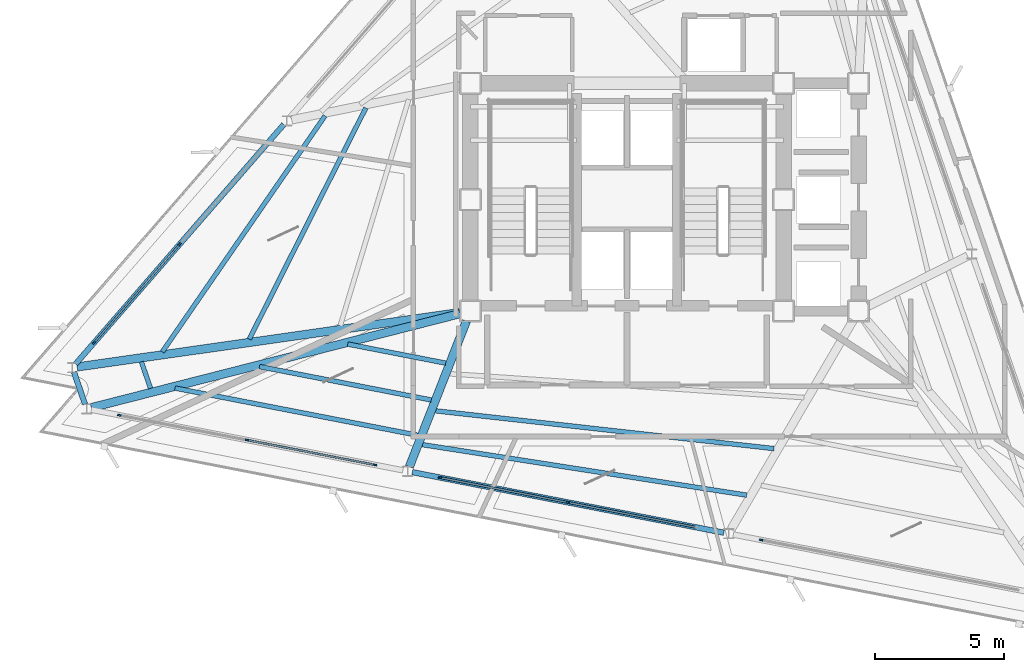
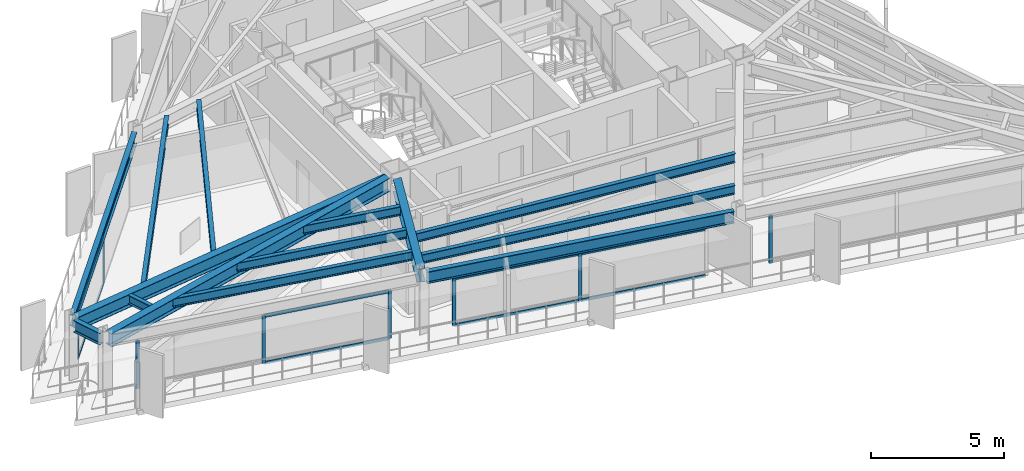
# One storey, part 2 of 13: 16 members, 14 beams, 4 elements without a shape of their own.
"""IFC4 building model written with IfcOpenShell, lengths in metres."""

from ifc_helpers import new_model, si_unit, direction, frame, origin, origin_2d, place, context, subcontext, project, spatial, rectangle, i_section, extrude, material, layer, layer_set, material_profile, profile_set, type_object, element, aggregate, save


model = new_model("IFC4")

# Units and contexts
model_context = context("Model", 3, precision=1e-05, world=origin(), true_north=direction((0.0, 1.0)))
body_context = subcontext(model_context, "Body", "Model", "MODEL_VIEW")
ifc_project = project(units=[si_unit("LENGTHUNIT", "METRE"), si_unit("AREAUNIT", "SQUARE_METRE"), si_unit("VOLUMEUNIT", "CUBIC_METRE"), si_unit("PLANEANGLEUNIT", "RADIAN"), si_unit("MASSUNIT", "GRAM", prefix="KILO")], contexts=[model_context])

# Site, building, storey
site_placement = place(None, origin())
site = spatial("IfcSite", under=ifc_project, at=site_placement, CompositionType="ELEMENT")
building_placement = place(site_placement, origin())
building = spatial("IfcBuilding", under=site, at=building_placement, Name="Rocaltana Carrier Exchange", CompositionType="ELEMENT")
storey_placement = place(building_placement, frame((0.0, 0.0, 159.360107421875)))
storey = spatial("IfcBuildingStorey", under=building, at=storey_placement, Name="L50", CompositionType="ELEMENT", Elevation=159.360107421875)

# Curtain wall, members
ifc_material_1 = material(Name="Aluminium 6063-T6", Category="aluminium")
ifc_layer = layer(ifc_material_1, 0.135009765625)
ifc_layer_set = layer_set([ifc_layer], Name="Aluminium 6063-T6")
curtain_wall_type = type_object("IfcCurtainWallType", Name="Upper-Mid Acoustic Curtain Wall CW-04", PredefinedType="NOTDEFINED", material=ifc_layer_set)
curtain_wall_1_placement = place(storey_placement, origin())
curtain_wall_1 = element("IfcCurtainWall", 1, at=curtain_wall_1_placement, inside=storey, type_object=curtain_wall_type, Name="L50 CW-04 Run CW-L50-F2S3", PredefinedType="NOTDEFINED")
ifc_material_2 = material(Name="Aluminium 6063-T6", Category="aluminium")
ifc_material_profile_1 = material_profile(ifc_material_2, rectangle(XDim=0.06494140625, YDim=0.135009765625, at=origin_2d()), Name="AL-65X135")
ifc_profile_set_1 = profile_set([ifc_material_profile_1], Name="Aluminium 6063-T6")
member_type_1 = type_object("IfcMemberType", Name="CW-04 Mullion AL-65X135", PredefinedType="MULLION", material=ifc_profile_set_1)
member_1_placement = place(storey_placement, frame((-17.279541015625, -1.718505859375, 0.0), z_axis=(0.0, 0.0, 1.0), x_axis=(0.75471173919, -0.656056545375, 0.0)))
member_1 = element("IfcMember", 2, at=member_1_placement, type_object=member_type_1, Name="CW-04 mullion 2", PredefinedType="MULLION", context=body_context, shape_type="SweptSolid", body=[
    extrude(rectangle(XDim=0.06494140625, YDim=0.135009765625, at=origin_2d()), origin(), (0.0, 0.0, 1.0), 2.2177734375),
])
member_2_placement = place(storey_placement, frame((-20.582275390625, -5.517822265625, 0.0), z_axis=(0.0, 0.0, 1.0), x_axis=(0.75471173919, -0.656056545375, 0.0)))
member_2 = element("IfcMember", 3, at=member_2_placement, type_object=member_type_1, Name="CW-04 mullion 3", PredefinedType="MULLION", context=body_context, shape_type="SweptSolid", body=[
    extrude(rectangle(XDim=0.06494140625, YDim=0.135009765625, at=origin_2d()), origin(), (0.0, 0.0, 1.0), 2.2177734375),
])

curtain_wall_2_placement = place(storey_placement, origin())
curtain_wall_2 = element("IfcCurtainWall", 4, at=curtain_wall_2_placement, inside=storey, type_object=curtain_wall_type, Name="L50 CW-04 Run CW-L50-F3S1", PredefinedType="NOTDEFINED")
member_3_placement = place(storey_placement, frame((-19.6162109375, -8.323486328125, 0.0), z_axis=(0.0, 0.0, 1.0), x_axis=(0.190803361378, 0.981628278569, 0.0)))
member_3 = element("IfcMember", 5, at=member_3_placement, type_object=member_type_1, Name="CW-04 mullion 1", PredefinedType="MULLION", context=body_context, shape_type="SweptSolid", body=[
    extrude(rectangle(XDim=0.06494140625, YDim=0.135009765625, at=origin_2d()), origin(), (0.0, 0.0, 1.0), 2.2177734375),
])
member_4_placement = place(storey_placement, frame((-14.674560546875, -9.2841796875, 0.0), z_axis=(0.0, 0.0, 1.0), x_axis=(0.190803361378, 0.981628278569, 0.0)))
member_4 = element("IfcMember", 6, at=member_4_placement, type_object=member_type_1, Name="CW-04 mullion 2", PredefinedType="MULLION", context=body_context, shape_type="SweptSolid", body=[
    extrude(rectangle(XDim=0.06494140625, YDim=0.135009765625, at=origin_2d()), origin(), (0.0, 0.0, 1.0), 2.2177734375),
])
member_5_placement = place(storey_placement, frame((-9.732666015625, -10.24462890625, 0.0), z_axis=(0.0, 0.0, 1.0), x_axis=(0.190803361378, 0.981628278569, 0.0)))
member_5 = element("IfcMember", 7, at=member_5_placement, type_object=member_type_1, Name="CW-04 mullion 3", PredefinedType="MULLION", context=body_context, shape_type="SweptSolid", body=[
    extrude(rectangle(XDim=0.06494140625, YDim=0.135009765625, at=origin_2d()), origin(), (0.0, 0.0, 1.0), 2.2177734375),
])

curtain_wall_3_placement = place(storey_placement, origin())
curtain_wall_3 = element("IfcCurtainWall", 8, at=curtain_wall_3_placement, inside=storey, type_object=curtain_wall_type, Name="L50 CW-04 Run CW-L50-F3S2", PredefinedType="NOTDEFINED")
member_6_placement = place(storey_placement, frame((-7.21484375, -10.734130859375, 0.0), z_axis=(0.0, 0.0, 1.0), x_axis=(0.190814718784, 0.981626070913, 0.0)))
member_6 = element("IfcMember", 9, at=member_6_placement, type_object=member_type_1, Name="CW-04 mullion 1", PredefinedType="MULLION", context=body_context, shape_type="SweptSolid", body=[
    extrude(rectangle(XDim=0.06494140625, YDim=0.135009765625, at=origin_2d()), origin(), (0.0, 0.0, 1.0), 2.2177734375),
])
member_7_placement = place(storey_placement, frame((-2.273193359375, -11.694580078125, 0.0), z_axis=(0.0, 0.0, 1.0), x_axis=(0.190814718784, 0.981626070913, 0.0)))
member_7 = element("IfcMember", 10, at=member_7_placement, type_object=member_type_1, Name="CW-04 mullion 2", PredefinedType="MULLION", context=body_context, shape_type="SweptSolid", body=[
    extrude(rectangle(XDim=0.06494140625, YDim=0.135009765625, at=origin_2d()), origin(), (0.0, 0.0, 1.0), 2.2177734375),
])

# Curtain wall, member
curtain_wall_4_placement = place(storey_placement, origin())
curtain_wall_4 = element("IfcCurtainWall", 11, at=curtain_wall_4_placement, inside=storey, type_object=curtain_wall_type, Name="L50 CW-04 Run CW-L50-F3S3", PredefinedType="NOTDEFINED")
member_8_placement = place(storey_placement, frame((5.186279296875, -13.144775390625, 0.0), z_axis=(0.0, 0.0, 1.0), x_axis=(0.190805209699, 0.981627919301, 0.0)))
member_8 = element("IfcMember", 12, at=member_8_placement, type_object=member_type_1, Name="CW-04 mullion 1", PredefinedType="MULLION", context=body_context, shape_type="SweptSolid", body=[
    extrude(rectangle(XDim=0.06494140625, YDim=0.135009765625, at=origin_2d()), origin(), (0.0, 0.0, 1.0), 2.2177734375),
])
aggregate(curtain_wall_4, [member_8])

# Member
ifc_material_3 = material(Name="Aluminium 6063-T6", Category="aluminium")
ifc_material_profile_2 = material_profile(ifc_material_3, rectangle(XDim=0.06494140625, YDim=0.135009765625, at=origin_2d()), Name="AL-65X135")
ifc_profile_set_2 = profile_set([ifc_material_profile_2], Name="Aluminium 6063-T6")
member_type_2 = type_object("IfcMemberType", Name="CW-04 Transom AL-65X135", PredefinedType="USERDEFINED", material=ifc_profile_set_2)
member_9_placement = place(storey_placement, frame((-17.30078125, -1.742919921875, 0.032470703125), z_axis=(-0.656055850486, -0.754712343243, 0.0), x_axis=(0.754712343243, -0.656055850486, 0.0)))
member_9 = element("IfcMember", 13, at=member_9_placement, type_object=member_type_2, Name="CW-04 transom 2.1", ObjectType="TRANSOM", PredefinedType="USERDEFINED", context=body_context, shape_type="SweptSolid", body=[
    extrude(rectangle(XDim=0.06494140625, YDim=0.135009765625, at=origin_2d()), origin(), (0.0, 0.0, 1.0), 4.968994140625),
])

member_10_placement = place(storey_placement, frame((-17.30078125, -1.742919921875, 2.185302734375), z_axis=(-0.656055850486, -0.754712343243, 0.0), x_axis=(0.754712343243, -0.656055850486, 0.0)))
member_10 = element("IfcMember", 14, at=member_10_placement, type_object=member_type_2, Name="CW-04 transom 2.2", ObjectType="TRANSOM", PredefinedType="USERDEFINED", context=body_context, shape_type="SweptSolid", body=[
    extrude(rectangle(XDim=0.06494140625, YDim=0.135009765625, at=origin_2d()), origin(), (0.0, 0.0, 1.0), 4.968994140625),
])

aggregate(curtain_wall_1, [member_1, member_2, member_9, member_10])

member_11_placement = place(storey_placement, frame((-14.642578125, -9.290283203125, 0.032470703125), z_axis=(0.981624593621, -0.1908223184, 0.0), x_axis=(0.1908223184, 0.981624593621, 0.0)))
member_11 = element("IfcMember", 15, at=member_11_placement, type_object=member_type_2, Name="CW-04 transom 2.1", ObjectType="TRANSOM", PredefinedType="USERDEFINED", context=body_context, shape_type="SweptSolid", body=[
    extrude(rectangle(XDim=0.06494140625, YDim=0.135009765625, at=origin_2d()), origin(), (0.0, 0.0, 1.0), 4.96923828125),
])

member_12_placement = place(storey_placement, frame((-14.642578125, -9.290283203125, 2.185302734375), z_axis=(0.981624593621, -0.1908223184, 0.0), x_axis=(0.1908223184, 0.981624593621, 0.0)))
member_12 = element("IfcMember", 16, at=member_12_placement, type_object=member_type_2, Name="CW-04 transom 2.2", ObjectType="TRANSOM", PredefinedType="USERDEFINED", context=body_context, shape_type="SweptSolid", body=[
    extrude(rectangle(XDim=0.06494140625, YDim=0.135009765625, at=origin_2d()), origin(), (0.0, 0.0, 1.0), 4.96923828125),
])

aggregate(curtain_wall_2, [member_3, member_4, member_5, member_11, member_12])

member_13_placement = place(storey_placement, frame((-7.18310546875, -10.740234375, 0.032470703125), z_axis=(0.981624593621, -0.1908223184, 0.0), x_axis=(0.1908223184, 0.981624593621, 0.0)))
member_13 = element("IfcMember", 17, at=member_13_placement, type_object=member_type_2, Name="CW-04 transom 1.1", ObjectType="TRANSOM", PredefinedType="USERDEFINED", context=body_context, shape_type="SweptSolid", body=[
    extrude(rectangle(XDim=0.06494140625, YDim=0.135009765625, at=origin_2d()), origin(), (0.0, 0.0, 1.0), 4.96923828125),
])

member_14_placement = place(storey_placement, frame((-7.18310546875, -10.740234375, 2.185302734375), z_axis=(0.981624593621, -0.1908223184, 0.0), x_axis=(0.1908223184, 0.981624593621, 0.0)))
member_14 = element("IfcMember", 18, at=member_14_placement, type_object=member_type_2, Name="CW-04 transom 1.2", ObjectType="TRANSOM", PredefinedType="USERDEFINED", context=body_context, shape_type="SweptSolid", body=[
    extrude(rectangle(XDim=0.06494140625, YDim=0.135009765625, at=origin_2d()), origin(), (0.0, 0.0, 1.0), 4.96923828125),
])

member_15_placement = place(storey_placement, frame((-2.2412109375, -11.700927734375, 0.032470703125), z_axis=(0.9816228045, -0.190831521732, 0.0), x_axis=(0.190831521732, 0.9816228045, 0.0)))
member_15 = element("IfcMember", 19, at=member_15_placement, type_object=member_type_2, Name="CW-04 transom 2.1", ObjectType="TRANSOM", PredefinedType="USERDEFINED", context=body_context, shape_type="SweptSolid", body=[
    extrude(rectangle(XDim=0.06494140625, YDim=0.135009765625, at=origin_2d()), origin(), (0.0, 0.0, 1.0), 4.968994140625),
])

member_16_placement = place(storey_placement, frame((-2.2412109375, -11.700927734375, 2.185302734375), z_axis=(0.9816228045, -0.190831521732, 0.0), x_axis=(0.190831521732, 0.9816228045, 0.0)))
member_16 = element("IfcMember", 20, at=member_16_placement, type_object=member_type_2, Name="CW-04 transom 2.2", ObjectType="TRANSOM", PredefinedType="USERDEFINED", context=body_context, shape_type="SweptSolid", body=[
    extrude(rectangle(XDim=0.06494140625, YDim=0.135009765625, at=origin_2d()), origin(), (0.0, 0.0, 1.0), 4.968994140625),
])

aggregate(curtain_wall_3, [member_6, member_7, member_13, member_14, member_15, member_16])

# Beams
ifc_material_4 = material(Name="Steel S355", Category="steel")
ifc_material_profile_3 = material_profile(ifc_material_4, i_section(OverallWidth=0.179931640625, OverallDepth=0.4130859375, WebThickness=0.009765625, FlangeThickness=0.01611328125, FilletRadius=0.012939453125, at=origin_2d()), Name="W16X50")
ifc_profile_set_3 = profile_set([ifc_material_profile_3], Name="Steel S355")
beam_type_1 = type_object("IfcBeamType", Name="Floor Joist W16X50", PredefinedType="JOIST", material=ifc_profile_set_3)
beam_1_placement = place(storey_placement, frame((-10.087890625, 3.548095703125, 2.581298828125), z_axis=(-0.449993841854, -0.893031658058, 0.0), x_axis=(0.893031658058, -0.449993841854, 0.0)))
element("IfcBeam", 21, at=beam_1_placement, inside=storey, type_object=beam_type_1, Name="FJ-L50-07-2", PredefinedType="JOIST", context=body_context, shape_type="SweptSolid", body=[
    extrude(i_section(OverallWidth=0.179931640625, OverallDepth=0.4130859375, WebThickness=0.009765625, FlangeThickness=0.01611328125, FilletRadius=0.012939453125, at=origin_2d()), origin(), (0.0, 0.0, 1.0), 10.0029296875),
])
beam_2_placement = place(storey_placement, frame((-11.665283203125, 3.239501953125, 2.581298828125), z_axis=(-0.567777260515, -0.823182229183, 0.0), x_axis=(0.823182229183, -0.567777260515, 0.0)))
element("IfcBeam", 22, at=beam_2_placement, inside=storey, type_object=beam_type_1, Name="FJ-L50-07-3", PredefinedType="JOIST", context=body_context, shape_type="SweptSolid", body=[
    extrude(i_section(OverallWidth=0.179931640625, OverallDepth=0.4130859375, WebThickness=0.009765625, FlangeThickness=0.01611328125, FilletRadius=0.012939453125, at=origin_2d()), origin(), (0.0, 0.0, 1.0), 11.073974609375),
])
beam_3_placement = place(storey_placement, frame((-18.75927734375, -6.26171875, 2.581298828125), z_axis=(0.32558209601, -0.945513775023, 0.0), x_axis=(0.945513775023, 0.32558209601, 0.0)))
element("IfcBeam", 23, at=beam_3_placement, inside=storey, type_object=beam_type_1, Name="FJ-L50-08-3", PredefinedType="JOIST", context=body_context, shape_type="SweptSolid", body=[
    extrude(i_section(OverallWidth=0.179931640625, OverallDepth=0.4130859375, WebThickness=0.009765625, FlangeThickness=0.01611328125, FilletRadius=0.012939453125, at=origin_2d()), origin(), (0.0, 0.0, 1.0), 1.08642578125),
])
beam_4_placement = place(storey_placement, frame((-10.7890625, -5.576904296875, 2.581298828125), z_axis=(0.981632516302, -0.190781558172, 0.0), x_axis=(0.190781558172, 0.981632516302, 0.0)))
element("IfcBeam", 24, at=beam_4_placement, inside=storey, type_object=beam_type_1, Name="FJ-L50-09-1", PredefinedType="JOIST", context=body_context, shape_type="SweptSolid", body=[
    extrude(i_section(OverallWidth=0.179931640625, OverallDepth=0.4130859375, WebThickness=0.009765625, FlangeThickness=0.01611328125, FilletRadius=0.012939453125, at=origin_2d()), origin(), (0.0, 0.0, 1.0), 3.85693359375),
])
beam_5_placement = place(storey_placement, frame((-14.198974609375, -6.44580078125, 2.581298828125), z_axis=(0.981623092211, -0.190830041758, 0.0), x_axis=(0.190830041758, 0.981623092211, 0.0)))
element("IfcBeam", 25, at=beam_5_placement, inside=storey, type_object=beam_type_1, Name="FJ-L50-09-2", PredefinedType="JOIST", context=body_context, shape_type="SweptSolid", body=[
    extrude(i_section(OverallWidth=0.179931640625, OverallDepth=0.4130859375, WebThickness=0.009765625, FlangeThickness=0.01611328125, FilletRadius=0.012939453125, at=origin_2d()), origin(), (0.0, 0.0, 1.0), 6.7626953125),
])
beam_6_placement = place(storey_placement, frame((-17.46044921875, -7.27734375, 2.581298828125), z_axis=(0.981630034489, -0.190794327456, 0.0), x_axis=(0.190794327456, 0.981630034489, 0.0)))
element("IfcBeam", 26, at=beam_6_placement, inside=storey, type_object=beam_type_1, Name="FJ-L50-09-3", PredefinedType="JOIST", context=body_context, shape_type="SweptSolid", body=[
    extrude(i_section(OverallWidth=0.179931640625, OverallDepth=0.4130859375, WebThickness=0.009765625, FlangeThickness=0.01611328125, FilletRadius=0.012939453125, at=origin_2d()), origin(), (0.0, 0.0, 1.0), 9.5419921875),
])
beam_7_placement = place(storey_placement, frame((-7.397705078125, -8.15478515625, 2.581298828125), z_axis=(0.993827043541, -0.110940558529, 0.0), x_axis=(0.110940558529, 0.993827043541, 0.0)))
element("IfcBeam", 27, at=beam_7_placement, inside=storey, type_object=beam_type_1, Name="FJ-L50-10-2", PredefinedType="JOIST", context=body_context, shape_type="SweptSolid", body=[
    extrude(i_section(OverallWidth=0.179931640625, OverallDepth=0.4130859375, WebThickness=0.009765625, FlangeThickness=0.01611328125, FilletRadius=0.012939453125, at=origin_2d()), origin(), (0.0, 0.0, 1.0), 13.159912109375),
])
beam_8_placement = place(storey_placement, frame((-7.90771484375, -9.461181640625, 2.581298828125), z_axis=(0.988080457821, -0.153938328148, 0.0), x_axis=(0.153938328148, 0.988080457821, 0.0)))
element("IfcBeam", 28, at=beam_8_placement, inside=storey, type_object=beam_type_1, Name="FJ-L50-10-3", PredefinedType="JOIST", context=body_context, shape_type="SweptSolid", body=[
    extrude(i_section(OverallWidth=0.179931640625, OverallDepth=0.4130859375, WebThickness=0.009765625, FlangeThickness=0.01611328125, FilletRadius=0.012939453125, at=origin_2d()), origin(), (0.0, 0.0, 1.0), 12.68603515625),
])
ifc_material_5 = material(Name="Steel S355", Category="steel")
ifc_material_profile_4 = material_profile(ifc_material_5, i_section(OverallWidth=0.323974609375, OverallDepth=0.611083984375, WebThickness=0.0126953125, FlangeThickness=0.01904296875, FilletRadius=0.01611328125, at=origin_2d()), Name="W24X104")
ifc_profile_set_4 = profile_set([ifc_material_profile_4], Name="Steel S355")
beam_type_2 = type_object("IfcBeamType", Name="Radial Girder W24X104", PredefinedType="BEAM", material=ifc_profile_set_4)
beam_9_placement = place(storey_placement, frame((-6.462890625, -4.358642578125, 2.482421875), z_axis=(-0.990042513649, -0.140768679638, 0.0), x_axis=(0.140768679638, -0.990042513649, 0.0)))
element("IfcBeam", 29, at=beam_9_placement, inside=storey, type_object=beam_type_2, Name="RG-L50-08", PredefinedType="BEAM", context=body_context, shape_type="SweptSolid", body=[
    extrude(i_section(OverallWidth=0.323974609375, OverallDepth=0.611083984375, WebThickness=0.0126953125, FlangeThickness=0.01904296875, FilletRadius=0.01611328125, at=origin_2d()), origin(), (0.0, 0.0, 1.0), 14.92578125),
])
beam_10_placement = place(storey_placement, frame((-6.4541015625, -4.403076171875, 2.482421875), z_axis=(-0.969014301438, -0.247004622644, 0.0), x_axis=(0.247004622644, -0.969014301438, 0.0)))
element("IfcBeam", 30, at=beam_10_placement, inside=storey, type_object=beam_type_2, Name="RG-L50-09", PredefinedType="BEAM", context=body_context, shape_type="SweptSolid", body=[
    extrude(i_section(OverallWidth=0.323974609375, OverallDepth=0.611083984375, WebThickness=0.0126953125, FlangeThickness=0.01904296875, FilletRadius=0.01611328125, at=origin_2d()), origin(), (0.0, 0.0, 1.0), 14.696533203125),
])
beam_11_placement = place(storey_placement, frame((-6.2021484375, -4.688232421875, 2.482421875), z_axis=(-0.364639954238, -0.93114859382, 0.0), x_axis=(0.93114859382, -0.364639954238, 0.0)))
element("IfcBeam", 31, at=beam_11_placement, inside=storey, type_object=beam_type_2, Name="RG-L50-10", PredefinedType="BEAM", context=body_context, shape_type="SweptSolid", body=[
    extrude(i_section(OverallWidth=0.323974609375, OverallDepth=0.611083984375, WebThickness=0.0126953125, FlangeThickness=0.01904296875, FilletRadius=0.01611328125, at=origin_2d()), origin(), (0.0, 0.0, 1.0), 6.044677734375),
])
ifc_material_6 = material(Name="Steel S355", Category="steel")
ifc_material_profile_5 = material_profile(ifc_material_6, i_section(OverallWidth=0.2119140625, OverallDepth=0.5439453125, WebThickness=0.01318359375, FlangeThickness=0.021240234375, FilletRadius=0.014892578125, at=origin_2d()), Name="W21X83")
ifc_profile_set_5 = profile_set([ifc_material_profile_5], Name="Steel S355")
beam_type_3 = type_object("IfcBeamType", Name="Spandrel Edge Beam W21X83", PredefinedType="SPANDREL", material=ifc_profile_set_5)
beam_12_placement = place(storey_placement, frame((-13.257080078125, 2.90869140625, 2.515869140625), z_axis=(-0.65606829307, -0.754701526982, 0.0), x_axis=(0.754701526982, -0.65606829307, 0.0)))
element("IfcBeam", 32, at=beam_12_placement, inside=storey, type_object=beam_type_3, Name="SP-L50-07", PredefinedType="SPANDREL", context=body_context, shape_type="SweptSolid", body=[
    extrude(i_section(OverallWidth=0.2119140625, OverallDepth=0.5439453125, WebThickness=0.01318359375, FlangeThickness=0.021240234375, FilletRadius=0.014892578125, at=origin_2d()), origin(), (0.0, 0.0, 1.0), 12.26220703125),
])
beam_13_placement = place(storey_placement, frame((-21.36328125, -6.6611328125, 2.515869140625), z_axis=(0.325521108858, -0.945534773389, 0.0), x_axis=(0.945534773389, 0.325521108858, 0.0)))
element("IfcBeam", 33, at=beam_13_placement, inside=storey, type_object=beam_type_3, Name="SP-L50-08", PredefinedType="SPANDREL", context=body_context, shape_type="SweptSolid", body=[
    extrude(i_section(OverallWidth=0.2119140625, OverallDepth=0.5439453125, WebThickness=0.01318359375, FlangeThickness=0.021240234375, FilletRadius=0.014892578125, at=origin_2d()), origin(), (0.0, 0.0, 1.0), 1.31396484375),
])
beam_14_placement = place(storey_placement, frame((-8.291748046875, -10.52490234375, 2.515869140625), z_axis=(0.98162989356, -0.190795052531, 0.0), x_axis=(0.190795052531, 0.98162989356, 0.0)))
element("IfcBeam", 34, at=beam_14_placement, inside=storey, type_object=beam_type_3, Name="SP-L50-10", PredefinedType="SPANDREL", context=body_context, shape_type="SweptSolid", body=[
    extrude(i_section(OverallWidth=0.2119140625, OverallDepth=0.5439453125, WebThickness=0.01318359375, FlangeThickness=0.021240234375, FilletRadius=0.014892578125, at=origin_2d()), origin(), (0.0, 0.0, 1.0), 12.262451171875),
])

save(model, "model.ifc")
